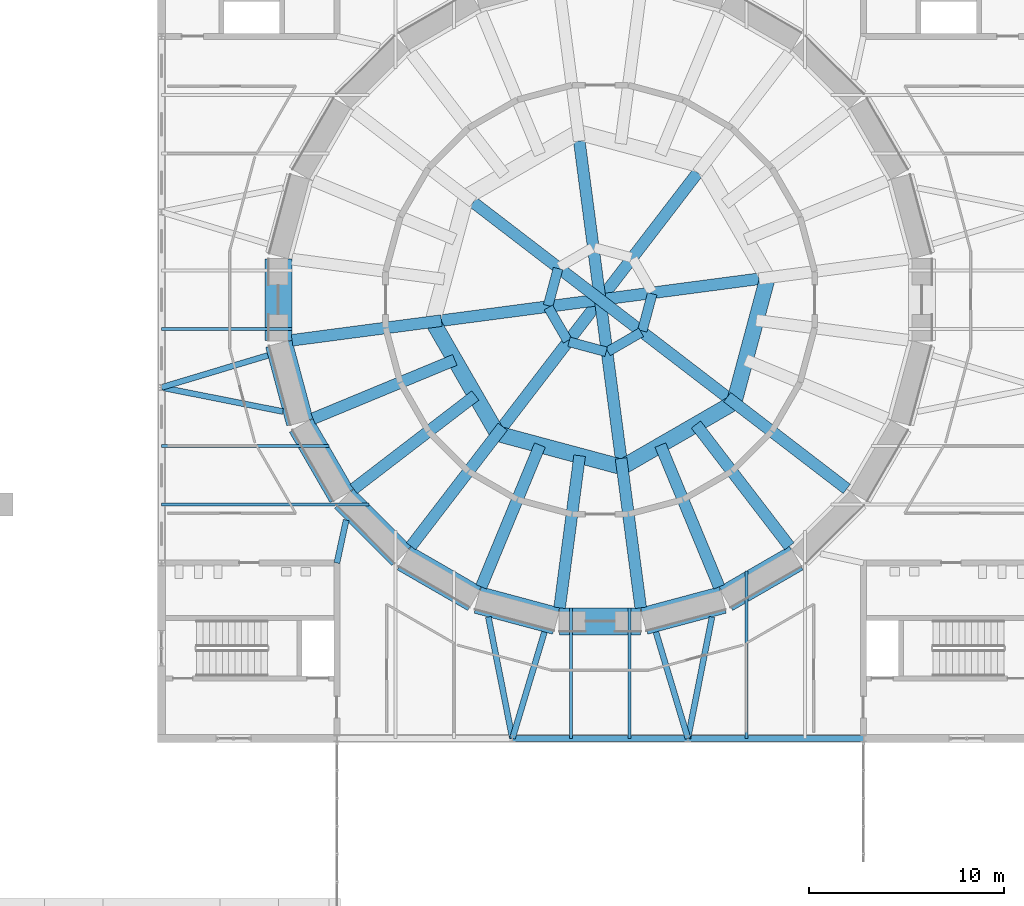
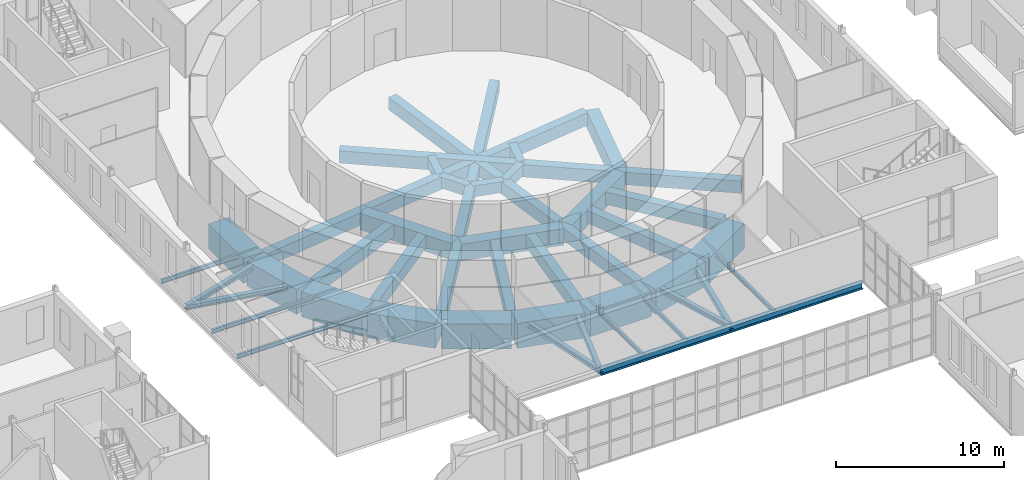
# One storey, part 49 of 131: 47 beams.
"""IFC4 building model written with IfcOpenShell, lengths in metres."""

import ifcopenshell
import ifcopenshell.guid

model = None  # the IFC model being written
_history = None  # IfcOwnerHistory: only IFC2X3 demands one
_inside = {}  # id of a spatial element -> (the spatial element, [elements in it])
_under = {}  # id of a project, library or spatial element -> (it, [spatial elements below it])
_declared = {}  # id of a project -> (the project, [libraries it declares])
_typed = {}  # id of a type object -> (the type object, [elements of that type])
_made_of = {}  # id of a material, layer set ... -> (it, [elements and type objects made of it])


def new_model(schema):
    """Start an empty IFC model of exactly this schema.

    Asked for "IFC4X3", IfcOpenShell would pick the latest addendum, in which some entities
    have other attributes; the version numbers below select the first issue.
    IFC2X3 requires an IfcOwnerHistory on every rooted entity: one is made here for all.
    """
    global model, _history
    if schema == "IFC4X3":
        model = ifcopenshell.file(schema_version=(4, 3, 0, 0))
    else:
        model = ifcopenshell.file(schema=schema)
    _inside.clear()
    _under.clear()
    _declared.clear()
    _typed.clear()
    _made_of.clear()
    _history = None
    if model.schema == "IFC2X3":
        org = make("IfcOrganization", Name="unknown")
        user = make(
            "IfcPersonAndOrganization",
            ThePerson=make("IfcPerson", FamilyName="unknown"),
            TheOrganization=org,
        )
        app = make(
            "IfcApplication",
            ApplicationDeveloper=org,
            Version="unknown",
            ApplicationFullName="unknown",
            ApplicationIdentifier="unknown",
        )
        _history = make(
            "IfcOwnerHistory",
            OwningUser=user,
            OwningApplication=app,
            ChangeAction="ADDED",
            CreationDate=0,
        )
    return model


def make(cls, **values):
    """One entity of the class cls with the attributes given. An attribute that is None is left unset."""
    return model.create_entity(
        cls, **{name: value for name, value in values.items() if value is not None}
    )


def rooted(cls, **values):
    """An entity with a GlobalId (a new one), such as an element, a storey or a relation."""
    return make(cls, GlobalId=ifcopenshell.guid.new(), OwnerHistory=_history, **values)


def si_unit(unit_type, name, prefix=None):
    """IfcSIUnit, for example si_unit("LENGTHUNIT", "METRE", prefix="MILLI")."""
    return make("IfcSIUnit", UnitType=unit_type, Prefix=prefix, Name=name)


def assignment(units):
    """IfcUnitAssignment: the units of a project."""
    return None if units is None else make("IfcUnitAssignment", Units=units)


def point(xyz):
    """IfcCartesianPoint."""
    return None if xyz is None else make("IfcCartesianPoint", Coordinates=xyz)


def direction(xyz):
    """IfcDirection."""
    return None if xyz is None else make("IfcDirection", DirectionRatios=xyz)


def frame(location, z_axis=None, x_axis=None):
    """IfcAxis2Placement3D, a coordinate frame: its origin and axes. An axis left out is left unset."""
    return make(
        "IfcAxis2Placement3D",
        Location=point(location),
        Axis=direction(z_axis),
        RefDirection=direction(x_axis),
    )


def frame_2d(location, x_axis=None):
    """IfcAxis2Placement2D, a coordinate frame in the plane: its origin and x axis."""
    return make(
        "IfcAxis2Placement2D", Location=point(location), RefDirection=direction(x_axis)
    )


def origin():
    """The frame at (0, 0, 0) with its axes left unset."""
    return frame((0.0, 0.0, 0.0))


def origin_2d():
    """The frame at (0, 0) in the plane with its x axis left unset."""
    return frame_2d((0.0, 0.0))


def place(relative_to, where):
    """IfcLocalPlacement: puts the frame where relative to a parent placement (None: the world)."""
    return make(
        "IfcLocalPlacement", PlacementRelTo=relative_to, RelativePlacement=where
    )


def context(
    kind, dimensions, precision=None, world=None, true_north=None, identifier=None
):
    """IfcGeometricRepresentationContext, for example the 3D "Model" context."""
    return make(
        "IfcGeometricRepresentationContext",
        ContextIdentifier=identifier,
        ContextType=kind,
        CoordinateSpaceDimension=dimensions,
        Precision=precision,
        WorldCoordinateSystem=world,
        TrueNorth=true_north,
    )


def subcontext(parent, identifier, kind, view, scale=None):
    """IfcGeometricRepresentationSubContext, for example "Body" below "Model"."""
    return make(
        "IfcGeometricRepresentationSubContext",
        ContextIdentifier=identifier,
        ContextType=kind,
        ParentContext=parent,
        TargetScale=scale,
        TargetView=view,
    )


def project(units=None, contexts=None):
    """IfcProject with its units and contexts."""
    return rooted(
        "IfcProject",
        Name="project",
        RepresentationContexts=contexts,
        UnitsInContext=assignment(units),
    )


def spatial(cls, under=None, at=None, **own):
    """A site, building, storey or space (cls), placed at a placement, below another one or the project."""
    s = rooted(cls, ObjectPlacement=at, **own)
    if under is not None:
        _under.setdefault(under.id(), (under, []))[1].append(s)
    return s


def profile(cls, at=None, kind="AREA", **sizes):
    """A parametric profile (cls). Its sizes go by their IFC names, for example OverallWidth=200.0."""
    return make(cls, ProfileType=kind, Position=at, **sizes)


def rectangle(**sizes):
    """IfcRectangleProfileDef."""
    return profile("IfcRectangleProfileDef", **sizes)


def i_section(**sizes):
    """IfcIShapeProfileDef."""
    return profile("IfcIShapeProfileDef", **sizes)


def extrude(swept, where, along, depth):
    """IfcExtrudedAreaSolid: the profile swept, set in the frame where, extruded along a direction by depth."""
    return make(
        "IfcExtrudedAreaSolid",
        SweptArea=swept,
        Position=where,
        ExtrudedDirection=direction(along),
        Depth=depth,
    )


def shape(context_of_items, identifier, shape_type, items):
    """IfcShapeRepresentation: the items that make up one representation, for example the "Body"."""
    return make(
        "IfcShapeRepresentation",
        ContextOfItems=context_of_items,
        RepresentationIdentifier=identifier,
        RepresentationType=shape_type,
        Items=items,
    )


def material(Name=None, Category=None):
    """IfcMaterial."""
    return make("IfcMaterial", Name=Name, Category=Category)


def material_profile(
    of_material, cross_section, Name=None, Category=None, Priority=None
):
    """IfcMaterialProfile: a cross section and its material."""
    return make(
        "IfcMaterialProfile",
        Name=Name,
        Material=of_material,
        Profile=cross_section,
        Priority=Priority,
        Category=Category,
    )


def profile_set(profiles, Name=None, composite=None):
    """IfcMaterialProfileSet."""
    return make(
        "IfcMaterialProfileSet",
        Name=Name,
        MaterialProfiles=profiles,
        CompositeProfile=composite,
    )


def made_of(thing, what):
    """Note that an element or type object is made of a material, layer set ...; save() writes the relation."""
    if what is not None:
        _made_of.setdefault(what.id(), (what, []))[1].append(thing)
    return thing


def type_object(cls, material=None, **own):
    """A type object (cls), such as IfcWallType, which elements share."""
    return made_of(rooted(cls, **own), material)


def element(
    cls,
    number,
    at=None,
    inside=None,
    cuts=None,
    type_object=None,
    material=None,
    context=None,
    identifier="Body",
    shape_type=None,
    held_by="IfcProductDefinitionShape",
    body=None,
    shapes=None,
    **own,
):
    """One element of the class cls, such as IfcWall. Its Tag is "e" and its number.

    at: its placement. inside: the storey or other place that contains it. cuts: it is an
    opening in that element (IfcRelVoidsElement). A single representation is given by context,
    identifier, shape_type and body (its items); several are given by shapes. held_by: the class
    of the entity that holds the representations. save() writes the other relations.
    """
    e = rooted(cls, Tag="e%d" % number, ObjectPlacement=at, **own)
    if body is not None:
        shapes = [shape(context, identifier, shape_type, body)]
    if shapes is not None:
        e.Representation = make(held_by, Representations=shapes)
    if inside is not None:
        _inside.setdefault(inside.id(), (inside, []))[1].append(e)
    if cuts is not None:
        rooted(
            "IfcRelVoidsElement", RelatingBuildingElement=cuts, RelatedOpeningElement=e
        )
    if type_object is not None:
        _typed.setdefault(type_object.id(), (type_object, []))[1].append(e)
    return made_of(e, material)


def aggregate(whole, parts):
    """IfcRelAggregates: a whole, such as a stair, and the parts it consists of."""
    return rooted("IfcRelAggregates", RelatingObject=whole, RelatedObjects=parts)


def save(model, path):
    """Write the relations noted so far, then the file.

    IfcRelAggregates (storeys below a building ...), IfcRelContainedInSpatialStructure (elements
    in a storey), IfcRelDefinesByType, IfcRelAssociatesMaterial and IfcRelDeclares: one each for
    every whole, place, type object, material and project.
    """
    for whole, parts in _under.values():
        aggregate(whole, parts)
    for where, things in _inside.values():
        rooted(
            "IfcRelContainedInSpatialStructure",
            RelatedElements=things,
            RelatingStructure=where,
        )
    for kind, things in _typed.values():
        rooted("IfcRelDefinesByType", RelatedObjects=things, RelatingType=kind)
    for what, things in _made_of.values():
        rooted("IfcRelAssociatesMaterial", RelatedObjects=things, RelatingMaterial=what)
    for by, libraries in _declared.values():
        rooted("IfcRelDeclares", RelatingContext=by, RelatedDefinitions=libraries)
    model.write(path)


model = new_model("IFC4")

# Units and contexts
model_context = context("Model", 3, precision=1e-05, world=origin(), true_north=direction((0.0, 1.0)))
body_context = subcontext(model_context, "Body", "Model", "MODEL_VIEW")
ifc_project = project(units=[si_unit("LENGTHUNIT", "METRE"), si_unit("AREAUNIT", "SQUARE_METRE"), si_unit("VOLUMEUNIT", "CUBIC_METRE"), si_unit("PLANEANGLEUNIT", "RADIAN"), si_unit("MASSUNIT", "GRAM", prefix="KILO")], contexts=[model_context])

# Site, building, storey
site_placement = place(None, origin())
site = spatial("IfcSite", under=ifc_project, at=site_placement, CompositionType="ELEMENT")
building_placement = place(site_placement, origin())
building = spatial("IfcBuilding", under=site, at=building_placement, Name="Golden Quay Civic Hall", CompositionType="ELEMENT")
storey_placement = place(building_placement, frame((0.0, 0.0, 9.89990234375)))
storey = spatial("IfcBuildingStorey", under=building, at=storey_placement, Name="L02", CompositionType="ELEMENT", Elevation=9.89990234375)

# Beams
ifc_material_1 = material(Name="Concrete C40/50", Category="concrete")
ifc_material_profile_1 = material_profile(ifc_material_1, rectangle(XDim=0.5, YDim=0.800048828125, at=origin_2d()), Name="RC 500x800")
ifc_profile_set_1 = profile_set([ifc_material_profile_1], Name="Concrete C40/50")
beam_type_1 = type_object("IfcBeamType", Name="Reinforced concrete central ring beam 500x800", PredefinedType="BEAM", material=ifc_profile_set_1)
beam_1_placement = place(storey_placement, frame((83.34033203125, 87.09912109375, -0.599853515625), z_axis=(-0.258849580177, -0.965917643923, 0.0), x_axis=(0.965917643923, -0.258849580177, 0.0)))
element("IfcBeam", 1, at=beam_1_placement, inside=storey, type_object=beam_type_1, Name="Chamber central ring beam segment 4", PredefinedType="BEAM", context=body_context, shape_type="SweptSolid", body=[
    extrude(rectangle(XDim=0.5, YDim=0.800048828125, at=origin_2d()), origin(), (0.0, 0.0, 1.0), 1.97119140625),
])
beam_2_placement = place(storey_placement, frame((82.84228515625, 85.103515625, -0.599853515625), z_axis=(0.499922605174, -0.866070083097, 0.0), x_axis=(0.866070083097, 0.499922605174, 0.0)))
element("IfcBeam", 2, at=beam_2_placement, inside=storey, type_object=beam_type_1, Name="Chamber central ring beam segment 5", PredefinedType="BEAM", context=body_context, shape_type="SweptSolid", body=[
    extrude(rectangle(XDim=0.5, YDim=0.800048828125, at=origin_2d()), origin(), (0.0, 0.0, 1.0), 1.970947265625),
])
beam_3_placement = place(storey_placement, frame((83.90087890625, 83.34033203125, -0.599853515625), z_axis=(0.965917643923, -0.258849580177, 0.0), x_axis=(0.258849580177, 0.965917643923, 0.0)))
element("IfcBeam", 3, at=beam_3_placement, inside=storey, type_object=beam_type_1, Name="Chamber central ring beam segment 6", PredefinedType="BEAM", context=body_context, shape_type="SweptSolid", body=[
    extrude(rectangle(XDim=0.5, YDim=0.800048828125, at=origin_2d()), origin(), (0.0, 0.0, 1.0), 1.97119140625),
])
beam_4_placement = place(storey_placement, frame((85.896484375, 82.84228515625, -0.599853515625), z_axis=(0.866070083097, 0.499922605174, 0.0), x_axis=(-0.499922605174, 0.866070083097, 0.0)))
element("IfcBeam", 4, at=beam_4_placement, inside=storey, type_object=beam_type_1, Name="Chamber central ring beam segment 7", PredefinedType="BEAM", context=body_context, shape_type="SweptSolid", body=[
    extrude(rectangle(XDim=0.5, YDim=0.800048828125, at=origin_2d()), origin(), (0.0, 0.0, 1.0), 1.970947265625),
])
beam_5_placement = place(storey_placement, frame((87.65966796875, 83.90087890625, -0.599853515625), z_axis=(0.258849580177, 0.965917643923, 0.0), x_axis=(-0.965917643923, 0.258849580177, 0.0)))
element("IfcBeam", 5, at=beam_5_placement, inside=storey, type_object=beam_type_1, Name="Chamber central ring beam segment 8", PredefinedType="BEAM", context=body_context, shape_type="SweptSolid", body=[
    extrude(rectangle(XDim=0.5, YDim=0.800048828125, at=origin_2d()), origin(), (0.0, 0.0, 1.0), 1.97119140625),
])
ifc_material_2 = material(Name="Concrete C40/50", Category="concrete")
ifc_material_profile_2 = material_profile(ifc_material_2, rectangle(XDim=0.800048828125, YDim=1.199951171875, at=origin_2d()), Name="RC 800x1200")
ifc_profile_set_2 = profile_set([ifc_material_profile_2], Name="Concrete C40/50")
beam_type_2 = type_object("IfcBeamType", Name="Reinforced concrete inner ring beam 800x1200", PredefinedType="BEAM", material=ifc_profile_set_2)
for number, where, z_axis, x_axis, name in (
    (6, (76.997802734375, 84.226318359375, -0.7998046875), (0.499984268907, -0.866034485945, 0.0), (0.866034485945, 0.499984268907, 0.0), "Chamber inner ring beam segment 5"),
    (7, (80.388671875, 78.58740234375, -0.7998046875), (0.965922087975, -0.258832996276, 0.0), (0.258832996276, 0.965922087975, 0.0), "Chamber inner ring beam segment 6"),
    (8, (86.773681640625, 76.997802734375, -0.7998046875), (0.866034485945, 0.499984268907, 0.0), (-0.499984268907, 0.866034485945, 0.0), "Chamber inner ring beam segment 7"),
    (9, (92.41259765625, 80.388671875, -0.7998046875), (0.258832996276, 0.965922087975, 0.0), (-0.965922087975, 0.258832996276, 0.0), "Chamber inner ring beam segment 8"),
):
    element("IfcBeam", number, at=place(storey_placement, frame(where, z_axis=z_axis, x_axis=x_axis)), inside=storey, type_object=beam_type_2, Name=name, PredefinedType="BEAM", context=body_context, shape_type="SweptSolid", body=[
        extrude(rectangle(XDim=0.800048828125, YDim=1.199951171875, at=origin_2d()), origin(), (0.0, 0.0, 1.0), 6.296142578125),
    ])
ifc_material_3 = material(Name="Concrete C40/50", Category="concrete")
ifc_material_profile_3 = material_profile(ifc_material_3, rectangle(XDim=0.60009765625, YDim=0.89990234375, at=origin_2d()), Name="RC 600x900")
ifc_profile_set_3 = profile_set([ifc_material_profile_3], Name="Concrete C40/50")
beam_type_3 = type_object("IfcBeamType", Name="Reinforced concrete radial beam 600x900", PredefinedType="BEAM", material=ifc_profile_set_3)
beam_6_placement = place(storey_placement, frame((93.638916015625, 86.571533203125, -0.64990234375), z_axis=(-0.991444473857, -0.130529135668, 0.0), x_axis=(0.130529135668, -0.991444473857, 0.0)))
element("IfcBeam", 10, at=beam_6_placement, inside=storey, type_object=beam_type_3, Name="Chamber floor diameter beam 1", PredefinedType="BEAM", context=body_context, shape_type="SweptSolid", body=[
    extrude(rectangle(XDim=0.60009765625, YDim=0.89990234375, at=origin_2d()), origin(), (0.0, 0.0, 1.0), 16.418212890625),
])
beam_7_placement = place(storey_placement, frame((90.497314453125, 92.0126953125, -0.64990234375), z_axis=(-0.608757409461, -0.793356424583, 0.0), x_axis=(0.793356424583, -0.608757409461, 0.0)))
element("IfcBeam", 11, at=beam_7_placement, inside=storey, type_object=beam_type_3, Name="Chamber floor diameter beam 2", PredefinedType="BEAM", context=body_context, shape_type="SweptSolid", body=[
    extrude(rectangle(XDim=0.60009765625, YDim=0.89990234375, at=origin_2d()), origin(), (0.0, 0.0, 1.0), 16.41796875),
])
beam_8_placement = place(storey_placement, frame((84.428466796875, 93.638916015625, -0.64990234375), z_axis=(0.130529135668, -0.991444473857, 0.0), x_axis=(0.991444473857, 0.130529135668, 0.0)))
element("IfcBeam", 12, at=beam_8_placement, inside=storey, type_object=beam_type_3, Name="Chamber floor diameter beam 3", PredefinedType="BEAM", context=body_context, shape_type="SweptSolid", body=[
    extrude(rectangle(XDim=0.60009765625, YDim=0.89990234375, at=origin_2d()), origin(), (0.0, 0.0, 1.0), 16.418212890625),
])
beam_9_placement = place(storey_placement, frame((78.9873046875, 90.497314453125, -0.64990234375), z_axis=(0.793356424583, -0.608757409461, 0.0), x_axis=(0.608757409461, 0.793356424583, 0.0)))
element("IfcBeam", 13, at=beam_9_placement, inside=storey, type_object=beam_type_3, Name="Chamber floor diameter beam 4", PredefinedType="BEAM", context=body_context, shape_type="SweptSolid", body=[
    extrude(rectangle(XDim=0.60009765625, YDim=0.89990234375, at=origin_2d()), origin(), (0.0, 0.0, 1.0), 16.41796875),
])
beam_10_placement = place(storey_placement, frame((77.361083984375, 84.428466796875, -0.64990234375), z_axis=(-0.991445905484, -0.130518261171, 0.0), x_axis=(0.130518261171, -0.991445905484, 0.0)))
element("IfcBeam", 14, at=beam_10_placement, inside=storey, type_object=beam_type_3, Name="Chamber floor radial beam 13", PredefinedType="BEAM", context=body_context, shape_type="SweptSolid", body=[
    extrude(rectangle(XDim=0.60009765625, YDim=0.89990234375, at=origin_2d()), origin(), (0.0, 0.0, 1.0), 7.727294921875),
])
for number, where, z_axis, x_axis, name in (
    (15, (78.045166015625, 82.412109375, -0.64990234375), (-0.923874616726, -0.382695299905, 0.0), (0.382695299905, -0.923874616726, 0.0), "Chamber floor radial beam 14"),
    (16, (79.098388671875, 80.587890625, -0.64990234375), (-0.793349060526, -0.608767006467, 0.0), (0.608767006467, -0.793349060526, 0.0), "Chamber floor radial beam 15"),
):
    element("IfcBeam", number, at=place(storey_placement, frame(where, z_axis=z_axis, x_axis=x_axis)), inside=storey, type_object=beam_type_3, Name=name, PredefinedType="BEAM", context=body_context, shape_type="SweptSolid", body=[
        extrude(rectangle(XDim=0.60009765625, YDim=0.89990234375, at=origin_2d()), origin(), (0.0, 0.0, 1.0), 7.8671875),
    ])
beam_11_placement = place(storey_placement, frame((80.502685546875, 78.9873046875, -0.64990234375), z_axis=(-0.608769767853, -0.793346941602, 0.0), x_axis=(0.793346941602, -0.608769767853, 0.0)))
element("IfcBeam", 17, at=beam_11_placement, inside=storey, type_object=beam_type_3, Name="Chamber floor radial beam 16", PredefinedType="BEAM", context=body_context, shape_type="SweptSolid", body=[
    extrude(rectangle(XDim=0.60009765625, YDim=0.89990234375, at=origin_2d()), origin(), (0.0, 0.0, 1.0), 7.727294921875),
])
beam_12_placement = place(storey_placement, frame((82.412109375, 78.045166015625, -0.64990234375), z_axis=(-0.382695299905, -0.923874616726, 0.0), x_axis=(0.923874616726, -0.382695299905, 0.0)))
element("IfcBeam", 18, at=beam_12_placement, inside=storey, type_object=beam_type_3, Name="Chamber floor radial beam 17", PredefinedType="BEAM", context=body_context, shape_type="SweptSolid", body=[
    extrude(rectangle(XDim=0.60009765625, YDim=0.89990234375, at=origin_2d()), origin(), (0.0, 0.0, 1.0), 7.8671875),
])
beam_13_placement = place(storey_placement, frame((84.44677734375, 77.5, -0.64990234375), z_axis=(-0.130521139464, -0.991445526569, 0.0), x_axis=(0.991445526569, -0.130521139464, 0.0)))
element("IfcBeam", 19, at=beam_13_placement, inside=storey, type_object=beam_type_3, Name="Chamber floor radial beam 18", PredefinedType="BEAM", context=body_context, shape_type="SweptSolid", body=[
    extrude(rectangle(XDim=0.60009765625, YDim=0.89990234375, at=origin_2d()), origin(), (0.0, 0.0, 1.0), 7.867431640625),
])
beam_14_placement = place(storey_placement, frame((86.571533203125, 77.361083984375, -0.64990234375), z_axis=(0.130518261171, -0.991445905484, 0.0), x_axis=(0.991445905484, 0.130518261171, 0.0)))
element("IfcBeam", 20, at=beam_14_placement, inside=storey, type_object=beam_type_3, Name="Chamber floor radial beam 19", PredefinedType="BEAM", context=body_context, shape_type="SweptSolid", body=[
    extrude(rectangle(XDim=0.60009765625, YDim=0.89990234375, at=origin_2d()), origin(), (0.0, 0.0, 1.0), 7.727294921875),
])
for number, where, z_axis, x_axis, name in (
    (21, (88.587890625, 78.045166015625, -0.64990234375), (0.382695299905, -0.923874616726, 0.0), (0.923874616726, 0.382695299905, 0.0), "Chamber floor radial beam 20"),
    (22, (90.412109375, 79.098388671875, -0.64990234375), (0.608767006467, -0.793349060526, 0.0), (0.793349060526, 0.608767006467, 0.0), "Chamber floor radial beam 21"),
):
    element("IfcBeam", number, at=place(storey_placement, frame(where, z_axis=z_axis, x_axis=x_axis)), inside=storey, type_object=beam_type_3, Name=name, PredefinedType="BEAM", context=body_context, shape_type="SweptSolid", body=[
        extrude(rectangle(XDim=0.60009765625, YDim=0.89990234375, at=origin_2d()), origin(), (0.0, 0.0, 1.0), 7.8671875),
    ])
beam_15_placement = place(storey_placement, frame((92.0126953125, 80.502685546875, -0.64990234375), z_axis=(0.793346941602, -0.608769767853, 0.0), x_axis=(0.608769767853, 0.793346941602, 0.0)))
element("IfcBeam", 23, at=beam_15_placement, inside=storey, type_object=beam_type_3, Name="Chamber floor radial beam 22", PredefinedType="BEAM", context=body_context, shape_type="SweptSolid", body=[
    extrude(rectangle(XDim=0.60009765625, YDim=0.89990234375, at=origin_2d()), origin(), (0.0, 0.0, 1.0), 7.727294921875),
])
ifc_material_4 = material(Name="Concrete C40/50", Category="concrete")
ifc_material_profile_4 = material_profile(ifc_material_4, rectangle(XDim=1.39990234375, YDim=1.800048828125, at=origin_2d()), Name="RC 1400x1800")
ifc_profile_set_4 = profile_set([ifc_material_profile_4], Name="Concrete C40/50")
beam_type_4 = type_object("IfcBeamType", Name="Reinforced concrete ring beam 1400x1800", PredefinedType="BEAM", material=ifc_profile_set_4)
beam_16_placement = place(storey_placement, frame((69.0, 87.580078125, -1.099853515625), z_axis=(0.0, -1.0, 0.0), x_axis=(1.0, 0.0, 0.0)))
element("IfcBeam", 24, at=beam_16_placement, inside=storey, type_object=beam_type_4, Name="Chamber ring beam segment 12", PredefinedType="BEAM", context=body_context, shape_type="SweptSolid", body=[
    extrude(rectangle(XDim=1.39990234375, YDim=1.800048828125, at=origin_2d()), origin(), (0.0, 0.0, 1.0), 4.16015625),
])
for number, where, z_axis, x_axis, name in (
    (25, (69.02392578125, 83.23876953125, -1.099853515625), (0.258794750904, -0.965932335573, 0.0), (0.965932335573, 0.258794750904, 0.0), "Chamber ring beam segment 13"),
    (26, (70.17041015625, 79.051513671875, -1.099853515625), (0.500020452843, -0.866013595008, 0.0), (0.866013595008, 0.500020452843, 0.0), "Chamber ring beam segment 14"),
    (27, (72.36181640625, 75.3037109375, -1.099853515625), (0.707106781187, -0.707106781187, 0.0), (0.707106781187, 0.707106781187, 0.0), "Chamber ring beam segment 15"),
    (28, (75.448486328125, 72.250732421875, -1.099853515625), (0.866013595008, -0.500020452843, 0.0), (0.500020452843, 0.866013595008, 0.0), "Chamber ring beam segment 16"),
    (29, (79.22021484375, 70.1005859375, -1.099853515625), (0.965932335573, -0.258794750904, 0.0), (0.258794750904, 0.965932335573, 0.0), "Chamber ring beam segment 17"),
):
    element("IfcBeam", number, at=place(storey_placement, frame(where, z_axis=z_axis, x_axis=x_axis)), inside=storey, type_object=beam_type_4, Name=name, PredefinedType="BEAM", context=body_context, shape_type="SweptSolid", body=[
        extrude(rectangle(XDim=1.39990234375, YDim=1.800048828125, at=origin_2d()), origin(), (0.0, 0.0, 1.0), 4.160400390625),
    ])
beam_17_placement = place(storey_placement, frame((83.419921875, 69.0, -1.099853515625), z_axis=(1.0, 0.0, 0.0), x_axis=(0.0, 1.0, 0.0)))
element("IfcBeam", 30, at=beam_17_placement, inside=storey, type_object=beam_type_4, Name="Chamber ring beam segment 18", PredefinedType="BEAM", context=body_context, shape_type="SweptSolid", body=[
    extrude(rectangle(XDim=1.39990234375, YDim=1.800048828125, at=origin_2d()), origin(), (0.0, 0.0, 1.0), 4.16015625),
])
for number, where, z_axis, x_axis, name in (
    (31, (87.76123046875, 69.02392578125, -1.099853515625), (0.965932335573, 0.258794750904, 0.0), (-0.258794750904, 0.965932335573, 0.0), "Chamber ring beam segment 19"),
    (32, (91.948486328125, 70.17041015625, -1.099853515625), (0.866013595008, 0.500020452843, 0.0), (-0.500020452843, 0.866013595008, 0.0), "Chamber ring beam segment 20"),
):
    element("IfcBeam", number, at=place(storey_placement, frame(where, z_axis=z_axis, x_axis=x_axis)), inside=storey, type_object=beam_type_4, Name=name, PredefinedType="BEAM", context=body_context, shape_type="SweptSolid", body=[
        extrude(rectangle(XDim=1.39990234375, YDim=1.800048828125, at=origin_2d()), origin(), (0.0, 0.0, 1.0), 4.160400390625),
    ])
ifc_material_5 = material(Name="Steel S355", Category="steel")
ifc_material_profile_5 = material_profile(ifc_material_5, i_section(OverallWidth=0.300048828125, OverallDepth=0.330078125, WebThickness=0.009521484375, FlangeThickness=0.0166015625, FilletRadius=0.027099609375, at=origin_2d()), Name="HEA 340")
ifc_profile_set_5 = profile_set([ifc_material_profile_5], Name="Steel S355")
beam_type_5 = type_object("IfcBeamType", Name="Steel girder HEA 340", PredefinedType="BEAM", material=ifc_profile_set_5)
beam_18_placement = place(storey_placement, frame((81.0, 63.0, -0.364990234375), z_axis=(0.288184675673, 0.957574849663, 0.0), x_axis=(-0.957574849663, 0.288184675673, 0.0)))
element("IfcBeam", 33, at=beam_18_placement, inside=storey, type_object=beam_type_5, Name="Radial girder 1", PredefinedType="BEAM", context=body_context, shape_type="SweptSolid", body=[
    extrude(i_section(OverallWidth=0.300048828125, OverallDepth=0.330078125, WebThickness=0.009521484375, FlangeThickness=0.0166015625, FilletRadius=0.027099609375, at=origin_2d()), origin(), (0.0, 0.0, 1.0), 5.70068359375),
])
beam_19_placement = place(storey_placement, frame((81.0, 63.0, -0.364990234375), z_axis=(-0.194326754683, 0.980936854448, 0.0), x_axis=(-0.980936854448, -0.194326754683, 0.0)))
element("IfcBeam", 34, at=beam_19_placement, inside=storey, type_object=beam_type_5, Name="Radial girder 2", PredefinedType="BEAM", context=body_context, shape_type="SweptSolid", body=[
    extrude(i_section(OverallWidth=0.300048828125, OverallDepth=0.330078125, WebThickness=0.009521484375, FlangeThickness=0.0166015625, FilletRadius=0.027099609375, at=origin_2d()), origin(), (0.0, 0.0, 1.0), 6.350830078125),
])
beam_20_placement = place(storey_placement, frame((90.0, 63.0, -0.364990234375), z_axis=(-0.288184675673, 0.957574849663, 0.0), x_axis=(-0.957574849663, -0.288184675673, 0.0)))
element("IfcBeam", 35, at=beam_20_placement, inside=storey, type_object=beam_type_5, Name="Radial girder 3", PredefinedType="BEAM", context=body_context, shape_type="SweptSolid", body=[
    extrude(i_section(OverallWidth=0.300048828125, OverallDepth=0.330078125, WebThickness=0.009521484375, FlangeThickness=0.0166015625, FilletRadius=0.027099609375, at=origin_2d()), origin(), (0.0, 0.0, 1.0), 5.70068359375),
])
beam_21_placement = place(storey_placement, frame((90.0, 63.0, -0.364990234375), z_axis=(0.194326754683, 0.980936854448, 0.0), x_axis=(-0.980936854448, 0.194326754683, 0.0)))
element("IfcBeam", 36, at=beam_21_placement, inside=storey, type_object=beam_type_5, Name="Radial girder 4", PredefinedType="BEAM", context=body_context, shape_type="SweptSolid", body=[
    extrude(i_section(OverallWidth=0.300048828125, OverallDepth=0.330078125, WebThickness=0.009521484375, FlangeThickness=0.0166015625, FilletRadius=0.027099609375, at=origin_2d()), origin(), (0.0, 0.0, 1.0), 6.350830078125),
])
beam_22_placement = place(storey_placement, frame((63.0, 81.0, -0.364990234375), z_axis=(0.957574849663, 0.288184675673, 0.0), x_axis=(-0.288184675673, 0.957574849663, 0.0)))
element("IfcBeam", 37, at=beam_22_placement, inside=storey, type_object=beam_type_5, Name="Radial girder 9", PredefinedType="BEAM", context=body_context, shape_type="SweptSolid", body=[
    extrude(i_section(OverallWidth=0.300048828125, OverallDepth=0.330078125, WebThickness=0.009521484375, FlangeThickness=0.0166015625, FilletRadius=0.027099609375, at=origin_2d()), origin(), (0.0, 0.0, 1.0), 5.70068359375),
])
beam_23_placement = place(storey_placement, frame((63.0, 81.0, -0.364990234375), z_axis=(0.980936854448, -0.194326754683, 0.0), x_axis=(0.194326754683, 0.980936854448, 0.0)))
element("IfcBeam", 38, at=beam_23_placement, inside=storey, type_object=beam_type_5, Name="Radial girder 10", PredefinedType="BEAM", context=body_context, shape_type="SweptSolid", body=[
    extrude(i_section(OverallWidth=0.300048828125, OverallDepth=0.330078125, WebThickness=0.009521484375, FlangeThickness=0.0166015625, FilletRadius=0.027099609375, at=origin_2d()), origin(), (0.0, 0.0, 1.0), 6.350830078125),
])
beam_24_placement = place(storey_placement, frame((72.0, 72.0, -0.364990234375), z_axis=(0.210795207635, 0.977530245281, 0.0), x_axis=(-0.977530245281, 0.210795207635, 0.0)))
element("IfcBeam", 39, at=beam_24_placement, inside=storey, type_object=beam_type_5, Name="Radial girder 17", PredefinedType="BEAM", context=body_context, shape_type="SweptSolid", body=[
    extrude(i_section(OverallWidth=0.300048828125, OverallDepth=0.330078125, WebThickness=0.009521484375, FlangeThickness=0.0166015625, FilletRadius=0.027099609375, at=origin_2d()), origin(), (0.0, 0.0, 1.0), 2.25146484375),
])
ifc_material_6 = material(Name="Steel S355", Category="steel")
ifc_material_profile_6 = material_profile(ifc_material_6, i_section(OverallWidth=0.300048828125, OverallDepth=0.489990234375, WebThickness=0.011962890625, FlangeThickness=0.02294921875, FilletRadius=0.027099609375, at=origin_2d()), Name="HEA 500")
ifc_profile_set_6 = profile_set([ifc_material_profile_6], Name="Steel S355")
beam_type_6 = type_object("IfcBeamType", Name="Steel girder HEA 500", PredefinedType="BEAM", material=ifc_profile_set_6)
for number, where, z_axis, x_axis, name in (
    (40, (81.0, 63.0, -0.44482421875), (1.0, 0.0, 0.0), (0.0, 1.0, 0.0), "Perimeter girder 5"),
    (41, (90.0, 63.0, -0.44482421875), (1.0, 0.0, 0.0), (0.0, 1.0, 0.0), "Perimeter girder 9"),
):
    element("IfcBeam", number, at=place(storey_placement, frame(where, z_axis=z_axis, x_axis=x_axis)), inside=storey, type_object=beam_type_6, Name=name, PredefinedType="BEAM", context=body_context, shape_type="SweptSolid", body=[
        extrude(i_section(OverallWidth=0.300048828125, OverallDepth=0.489990234375, WebThickness=0.011962890625, FlangeThickness=0.02294921875, FilletRadius=0.027099609375, at=origin_2d()), origin(), (0.0, 0.0, 1.0), 9.0),
    ])
ifc_material_7 = material(Name="Steel S355", Category="steel")
ifc_material_profile_7 = material_profile(ifc_material_7, i_section(OverallWidth=0.14990234375, OverallDepth=0.300048828125, WebThickness=0.007080078125, FlangeThickness=0.0107421875, FilletRadius=0.014892578125, at=origin_2d()), Name="IPE 300")
ifc_profile_set_7 = profile_set([ifc_material_profile_7], Name="Steel S355")
beam_type_7 = type_object("IfcBeamType", Name="Steel joist IPE 300", PredefinedType="JOIST", material=ifc_profile_set_7)
for number, where, z_axis, x_axis, name in (
    (42, (84.0, 63.0, -0.349853515625), (0.0, 1.0, 0.0), (-1.0, 0.0, 0.0), "Floor joist 3"),
    (43, (87.0, 63.0, -0.349853515625), (0.0, 1.0, 0.0), (-1.0, 0.0, 0.0), "Floor joist 4"),
):
    element("IfcBeam", number, at=place(storey_placement, frame(where, z_axis=z_axis, x_axis=x_axis)), inside=storey, type_object=beam_type_7, Name=name, PredefinedType="JOIST", context=body_context, shape_type="SweptSolid", body=[
        extrude(i_section(OverallWidth=0.14990234375, OverallDepth=0.300048828125, WebThickness=0.007080078125, FlangeThickness=0.0107421875, FilletRadius=0.014892578125, at=origin_2d()), origin(), (0.0, 0.0, 1.0), 6.699951171875),
    ])
beam_25_placement = place(storey_placement, frame((93.0, 63.0, -0.349853515625), z_axis=(0.0, 1.0, 0.0), x_axis=(-1.0, 0.0, 0.0)))
element("IfcBeam", 44, at=beam_25_placement, inside=storey, type_object=beam_type_7, Name="Floor joist 5", PredefinedType="JOIST", context=body_context, shape_type="SweptSolid", body=[
    extrude(i_section(OverallWidth=0.14990234375, OverallDepth=0.300048828125, WebThickness=0.007080078125, FlangeThickness=0.0107421875, FilletRadius=0.014892578125, at=origin_2d()), origin(), (0.0, 0.0, 1.0), 8.5859375),
])
beam_26_placement = place(storey_placement, frame((63.0, 75.0, -0.349853515625), z_axis=(1.0, 0.0, 0.0), x_axis=(0.0, 1.0, 0.0)))
element("IfcBeam", 45, at=beam_26_placement, inside=storey, type_object=beam_type_7, Name="Floor joist 13", PredefinedType="JOIST", context=body_context, shape_type="SweptSolid", body=[
    extrude(i_section(OverallWidth=0.14990234375, OverallDepth=0.300048828125, WebThickness=0.007080078125, FlangeThickness=0.0107421875, FilletRadius=0.014892578125, at=origin_2d()), origin(), (0.0, 0.0, 1.0), 10.655517578125),
])
beam_27_placement = place(storey_placement, frame((63.0, 78.0, -0.349853515625), z_axis=(1.0, 0.0, 0.0), x_axis=(0.0, 1.0, 0.0)))
element("IfcBeam", 46, at=beam_27_placement, inside=storey, type_object=beam_type_7, Name="Floor joist 14", PredefinedType="JOIST", context=body_context, shape_type="SweptSolid", body=[
    extrude(i_section(OverallWidth=0.14990234375, OverallDepth=0.300048828125, WebThickness=0.007080078125, FlangeThickness=0.0107421875, FilletRadius=0.014892578125, at=origin_2d()), origin(), (0.0, 0.0, 1.0), 8.5859375),
])
beam_28_placement = place(storey_placement, frame((63.0, 84.0, -0.349853515625), z_axis=(1.0, 0.0, 0.0), x_axis=(0.0, 1.0, 0.0)))
element("IfcBeam", 47, at=beam_28_placement, inside=storey, type_object=beam_type_7, Name="Floor joist 15", PredefinedType="JOIST", context=body_context, shape_type="SweptSolid", body=[
    extrude(i_section(OverallWidth=0.14990234375, OverallDepth=0.300048828125, WebThickness=0.007080078125, FlangeThickness=0.0107421875, FilletRadius=0.014892578125, at=origin_2d()), origin(), (0.0, 0.0, 1.0), 6.699951171875),
])

save(model, "model.ifc")
